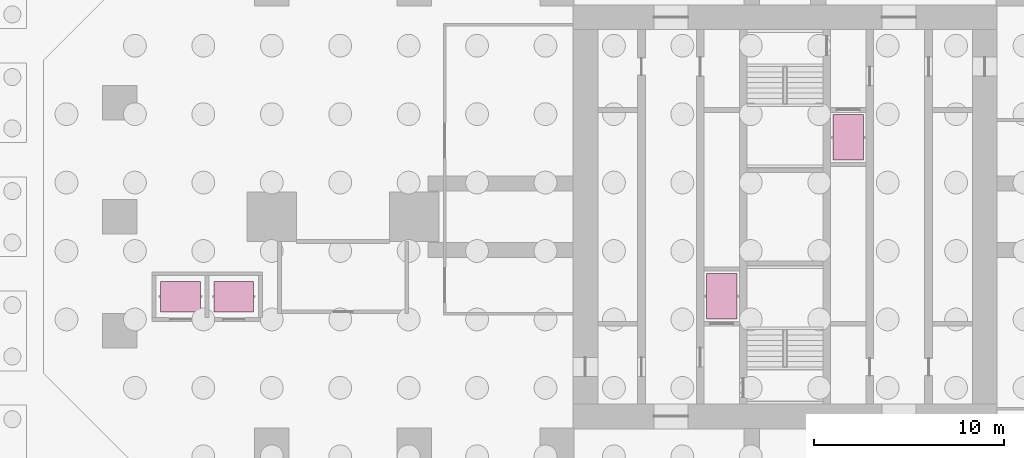
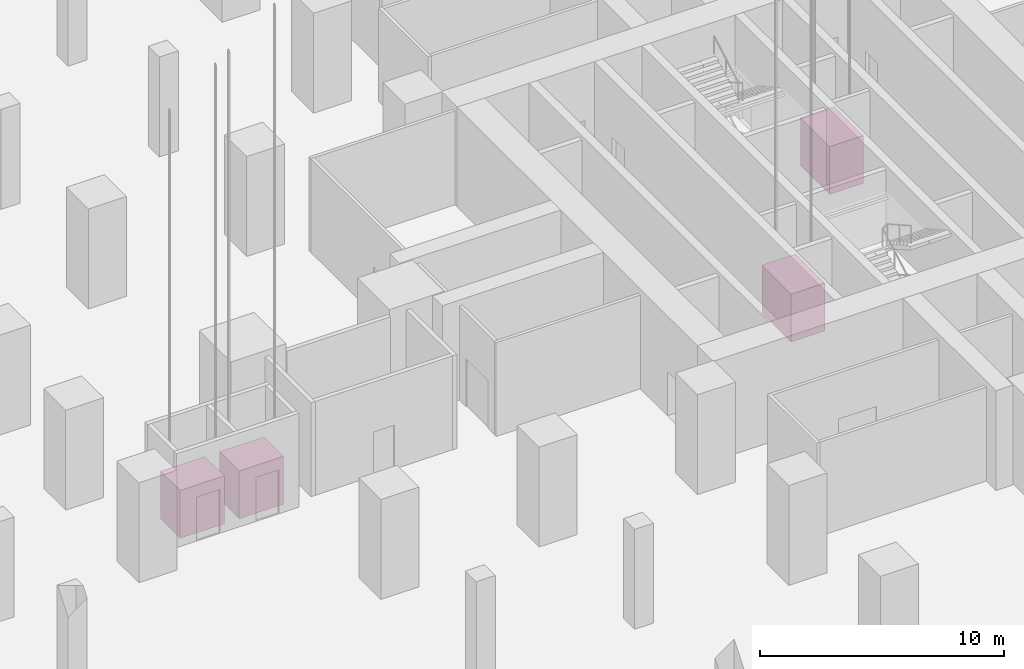
# One storey, part 23 of 31: 4 transport elements.
"""IFC4 building model written with IfcOpenShell, lengths in metres."""

from ifc_helpers import new_model, si_unit, direction, frame, origin, origin_2d, place, context, subcontext, project, spatial, rectangle, extrude, material, type_object, element, save


model = new_model("IFC4")

# Units and contexts
model_context = context("Model", 3, precision=1e-05, world=origin(), true_north=direction((0.0, 1.0)))
body_context = subcontext(model_context, "Body", "Model", "MODEL_VIEW")
ifc_project = project(units=[si_unit("LENGTHUNIT", "METRE"), si_unit("AREAUNIT", "SQUARE_METRE"), si_unit("VOLUMEUNIT", "CUBIC_METRE"), si_unit("PLANEANGLEUNIT", "RADIAN"), si_unit("MASSUNIT", "GRAM", prefix="KILO")], contexts=[model_context])

# Site, building, storey
site_placement = place(None, origin())
site = spatial("IfcSite", under=ifc_project, at=site_placement, CompositionType="ELEMENT")
building_placement = place(site_placement, origin())
building = spatial("IfcBuilding", under=site, at=building_placement, Name="Mizan Broadcast Tower", CompositionType="ELEMENT")
storey_placement = place(building_placement, frame((0.0, 0.0, -10.0)))
storey = spatial("IfcBuildingStorey", under=building, at=storey_placement, Name="B2", CompositionType="ELEMENT", Elevation=-10.0)

# Transport elements
ifc_material_1 = material(Name="Stainless steel lift car", Category="steel")
transport_element_type_1 = type_object("IfcTransportElementType", Name="LIFT CAR FIREFIGHTING 1600x2400", PredefinedType="ELEVATOR", material=ifc_material_1)
for number, where, z_axis, x_axis, name in (
    (1, (-3.324951171875, -4.175048828125, 0.0), (0.0, 0.0, 1.0), (1.0, 0.0, 0.0), "Lift FF1"),
    (2, (3.324951171875, 4.175048828125, 0.0), (0.0, 0.0, 1.0), (1.0, 0.0, 0.0), "Lift FF2"),
):
    element("IfcTransportElement", number, at=place(storey_placement, frame(where, z_axis=z_axis, x_axis=x_axis)), inside=storey, type_object=transport_element_type_1, Name=name, PredefinedType="ELEVATOR", context=body_context, shape_type="SweptSolid", body=[
        extrude(rectangle(XDim=1.60009765625, YDim=2.39990234375, at=origin_2d()), origin(), (0.0, 0.0, 1.0), 2.39990234375),
    ])
ifc_material_2 = material(Name="Stainless steel lift car", Category="steel")
transport_element_type_2 = type_object("IfcTransportElementType", Name="LIFT CAR PASSENGER 2100x1600", PredefinedType="ELEVATOR", material=ifc_material_2)
for number, where, z_axis, x_axis, name in (
    (3, (-29.0, -4.199951171875, 0.0), (0.0, 0.0, 1.0), (1.0, 0.0, 0.0), "Lift PL1"),
    (4, (-31.800048828125, -4.199951171875, 0.0), (0.0, 0.0, 1.0), (1.0, 0.0, 0.0), "Lift PL2"),
):
    element("IfcTransportElement", number, at=place(storey_placement, frame(where, z_axis=z_axis, x_axis=x_axis)), inside=storey, type_object=transport_element_type_2, Name=name, PredefinedType="ELEVATOR", context=body_context, shape_type="SweptSolid", body=[
        extrude(rectangle(XDim=2.10009765625, YDim=1.60009765625, at=origin_2d()), origin(), (0.0, 0.0, 1.0), 2.39990234375),
    ])

save(model, "model.ifc")
